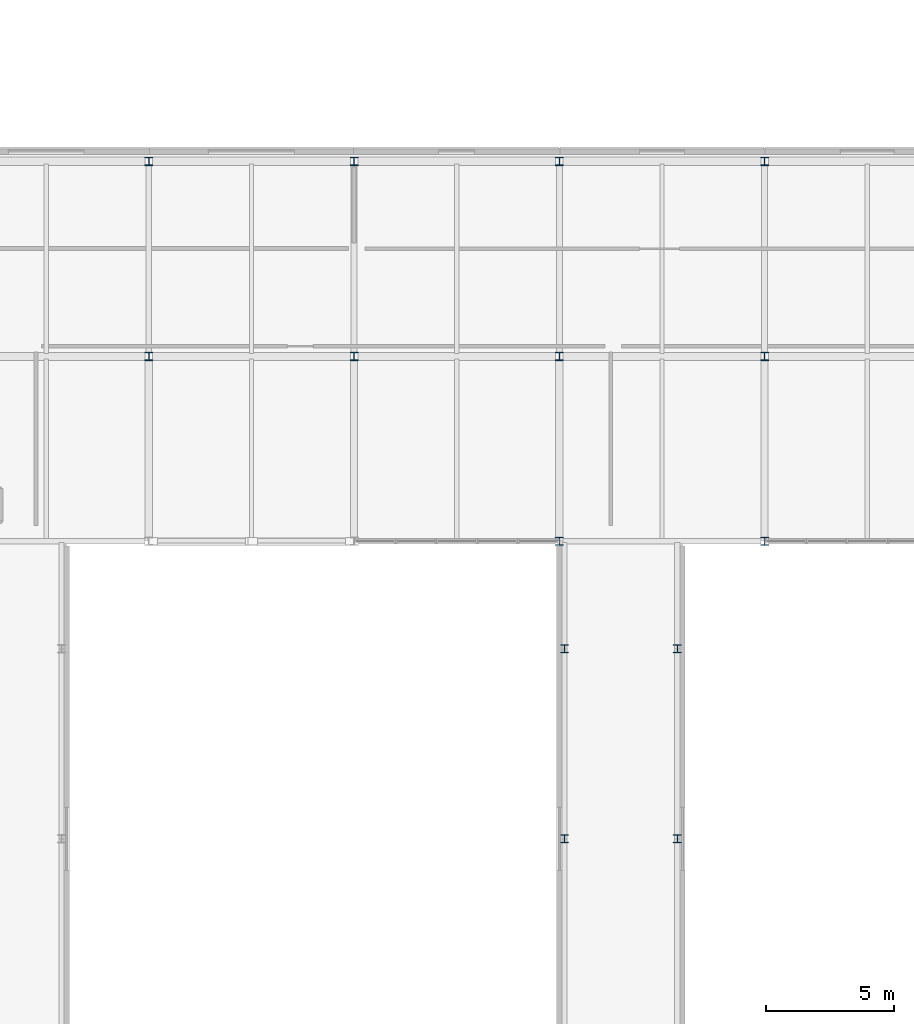
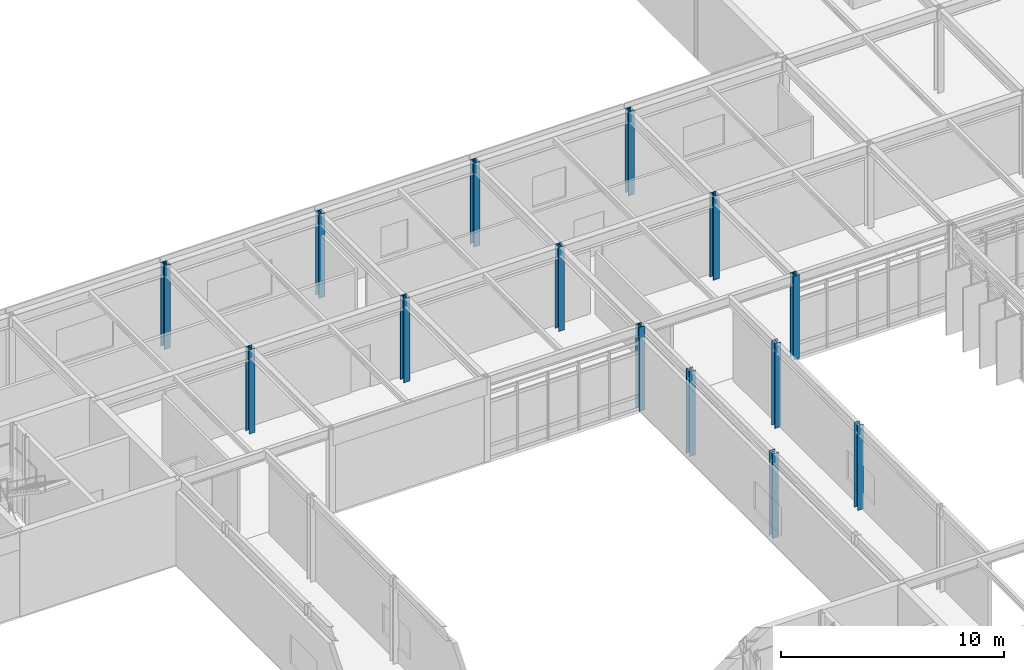
# One storey, part 7 of 104: 14 columns.
"""IFC4 building model written with IfcOpenShell, lengths in metres."""

from ifc_helpers import new_model, si_unit, direction, frame, origin, origin_2d, place, context, subcontext, project, spatial, i_section, extrude, material, material_profile, profile_set, type_object, element, save


model = new_model("IFC4")

# Units and contexts
model_context = context("Model", 3, precision=1e-05, world=origin(), true_north=direction((0.0, 1.0)))
body_context = subcontext(model_context, "Body", "Model", "MODEL_VIEW")
ifc_project = project(units=[si_unit("LENGTHUNIT", "METRE"), si_unit("AREAUNIT", "SQUARE_METRE"), si_unit("VOLUMEUNIT", "CUBIC_METRE"), si_unit("PLANEANGLEUNIT", "RADIAN"), si_unit("MASSUNIT", "GRAM", prefix="KILO")], contexts=[model_context])

# Site, building, storey
site_placement = place(None, origin())
site = spatial("IfcSite", under=ifc_project, at=site_placement, CompositionType="ELEMENT")
building_placement = place(site_placement, origin())
building = spatial("IfcBuilding", under=site, at=building_placement, Name="Zulena Civic Courthouse", CompositionType="ELEMENT")
storey_placement = place(building_placement, frame((0.0, 0.0, 15.60009765625)))
storey = spatial("IfcBuildingStorey", under=building, at=storey_placement, Name="L03", CompositionType="ELEMENT", Elevation=15.60009765625)

# Columns
ifc_material = material(Name="Steel ASTM A992 Grade 50", Category="steel")
ifc_material_profile_1 = material_profile(ifc_material, i_section(OverallWidth=0.31298828125, OverallDepth=0.3330078125, WebThickness=0.01806640625, FlangeThickness=0.0283203125, FilletRadius=0.01513671875, at=origin_2d()), Name="W12X120")
ifc_profile_set_1 = profile_set([ifc_material_profile_1], Name="Steel ASTM A992 Grade 50")
column_type_1 = type_object("IfcColumnType", Name="Col_W12X120", PredefinedType="COLUMN", material=ifc_profile_set_1)
for number, where, z_axis, x_axis, name in (
    (1, (36.0, 53.199951171875, 0.0), (0.0, 0.0, 1.0), (1.0, 0.0, 0.0), "col:V5:L03:36.0:53.2"),
    (2, (36.0, 60.800048828125, 0.0), (0.0, 0.0, 1.0), (1.0, 0.0, 0.0), "col:V5:L03:36.0:60.8"),
    (3, (44.0, 53.199951171875, 0.0), (0.0, 0.0, 1.0), (1.0, 0.0, 0.0), "col:V5:L03:44.0:53.2"),
    (4, (44.0, 60.800048828125, 0.0), (0.0, 0.0, 1.0), (1.0, 0.0, 0.0), "col:V5:L03:44.0:60.8"),
    (5, (52.0, 53.199951171875, 0.0), (0.0, 0.0, 1.0), (1.0, 0.0, 0.0), "col:V5:L03:52.0:53.2"),
    (6, (52.0, 60.800048828125, 0.0), (0.0, 0.0, 1.0), (1.0, 0.0, 0.0), "col:V5:L03:52.0:60.8"),
    (7, (60.0, 53.199951171875, 0.0), (0.0, 0.0, 1.0), (1.0, 0.0, 0.0), "col:V5:L03:60.0:53.2"),
    (8, (60.0, 60.800048828125, 0.0), (0.0, 0.0, 1.0), (1.0, 0.0, 0.0), "col:V5:L03:60.0:60.8"),
):
    element("IfcColumn", number, at=place(storey_placement, frame(where, z_axis=z_axis, x_axis=x_axis)), inside=storey, type_object=column_type_1, Name=name, PredefinedType="COLUMN", context=body_context, shape_type="SweptSolid", body=[
        extrude(i_section(OverallWidth=0.31298828125, OverallDepth=0.3330078125, WebThickness=0.01806640625, FlangeThickness=0.0283203125, FilletRadius=0.01513671875, at=origin_2d()), origin(), (0.0, 0.0, 1.0), 4.58984375),
    ])
ifc_material_profile_2 = material_profile(ifc_material, i_section(OverallWidth=0.306884765625, OverallDepth=0.31396484375, WebThickness=0.011962890625, FlangeThickness=0.018798828125, FilletRadius=0.01513671875, at=origin_2d()), Name="W12X79")
ifc_profile_set_2 = profile_set([ifc_material_profile_2], Name="Steel ASTM A992 Grade 50")
column_type_2 = type_object("IfcColumnType", Name="Col_W12X79", PredefinedType="COLUMN", material=ifc_profile_set_2)
for number, where, z_axis, x_axis, name in (
    (9, (52.199951171875, 34.39990234375, 0.0), (0.0, 0.0, 1.0), (1.0, 0.0, 0.0), "col:bridge:BR-52C:L03:52.20:34.40"),
    (10, (52.199951171875, 41.800048828125, 0.0), (0.0, 0.0, 1.0), (1.0, 0.0, 0.0), "col:bridge:BR-52C:L03:52.20:41.80"),
    (11, (56.60009765625, 34.39990234375, 0.0), (0.0, 0.0, 1.0), (1.0, 0.0, 0.0), "col:bridge:BR-52C:L03:56.60:34.40"),
    (12, (56.60009765625, 41.800048828125, 0.0), (0.0, 0.0, 1.0), (1.0, 0.0, 0.0), "col:bridge:BR-52C:L03:56.60:41.80"),
):
    element("IfcColumn", number, at=place(storey_placement, frame(where, z_axis=z_axis, x_axis=x_axis)), inside=storey, type_object=column_type_2, Name=name, PredefinedType="COLUMN", context=body_context, shape_type="SweptSolid", body=[
        extrude(i_section(OverallWidth=0.306884765625, OverallDepth=0.31396484375, WebThickness=0.011962890625, FlangeThickness=0.018798828125, FilletRadius=0.01513671875, at=origin_2d()), origin(), (0.0, 0.0, 1.0), 4.6298828125),
    ])
ifc_material_profile_3 = material_profile(ifc_material, i_section(OverallWidth=0.30908203125, OverallDepth=0.322998046875, WebThickness=0.013916015625, FlangeThickness=0.02294921875, FilletRadius=0.01513671875, at=origin_2d()), Name="W12X96")
ifc_profile_set_3 = profile_set([ifc_material_profile_3], Name="Steel ASTM A992 Grade 50")
column_type_3 = type_object("IfcColumnType", Name="Col_W12X96", PredefinedType="COLUMN", material=ifc_profile_set_3)
for number, where, z_axis, x_axis, name in (
    (13, (52.0, 46.0, 0.0), (0.0, 0.0, 1.0), (1.0, 0.0, 0.0), "col:V5:L03:52.0:46.0"),
    (14, (60.0, 46.0, 0.0), (0.0, 0.0, 1.0), (1.0, 0.0, 0.0), "col:V5:L03:60.0:46.0"),
):
    element("IfcColumn", number, at=place(storey_placement, frame(where, z_axis=z_axis, x_axis=x_axis)), inside=storey, type_object=column_type_3, Name=name, PredefinedType="COLUMN", context=body_context, shape_type="SweptSolid", body=[
        extrude(i_section(OverallWidth=0.30908203125, OverallDepth=0.322998046875, WebThickness=0.013916015625, FlangeThickness=0.02294921875, FilletRadius=0.01513671875, at=origin_2d()), origin(), (0.0, 0.0, 1.0), 4.58984375),
    ])

save(model, "model.ifc")
